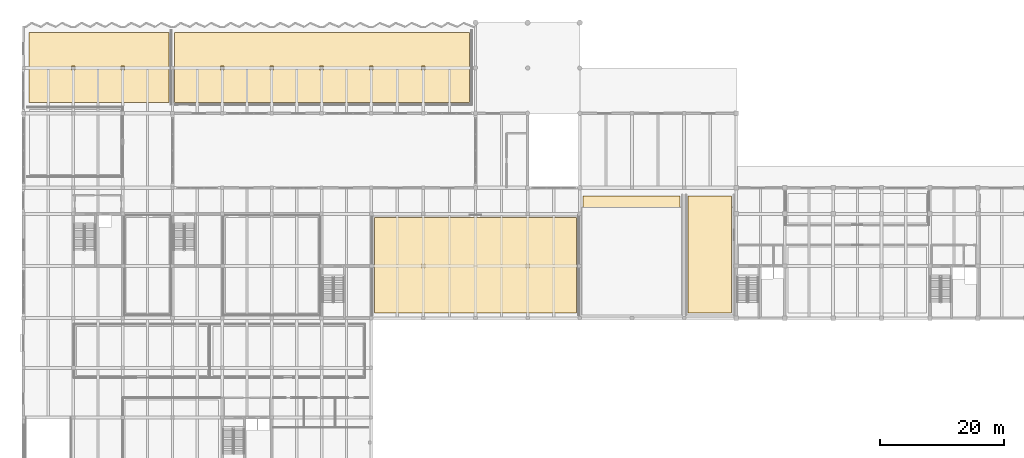
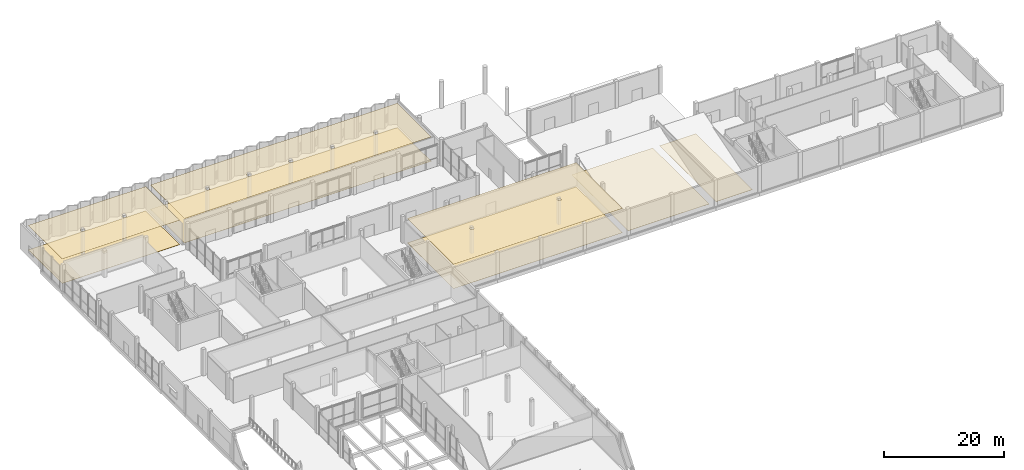
# One storey, part 39 of 41: 8 coverings.
"""IFC4 building model written with IfcOpenShell, lengths in metres."""

import ifcopenshell
import ifcopenshell.guid

model = None  # the IFC model being written
_history = None  # IfcOwnerHistory: only IFC2X3 demands one
_inside = {}  # id of a spatial element -> (the spatial element, [elements in it])
_under = {}  # id of a project, library or spatial element -> (it, [spatial elements below it])
_declared = {}  # id of a project -> (the project, [libraries it declares])
_typed = {}  # id of a type object -> (the type object, [elements of that type])
_made_of = {}  # id of a material, layer set ... -> (it, [elements and type objects made of it])


def new_model(schema):
    """Start an empty IFC model of exactly this schema.

    Asked for "IFC4X3", IfcOpenShell would pick the latest addendum, in which some entities
    have other attributes; the version numbers below select the first issue.
    IFC2X3 requires an IfcOwnerHistory on every rooted entity: one is made here for all.
    """
    global model, _history
    if schema == "IFC4X3":
        model = ifcopenshell.file(schema_version=(4, 3, 0, 0))
    else:
        model = ifcopenshell.file(schema=schema)
    _inside.clear()
    _under.clear()
    _declared.clear()
    _typed.clear()
    _made_of.clear()
    _history = None
    if model.schema == "IFC2X3":
        org = make("IfcOrganization", Name="unknown")
        user = make(
            "IfcPersonAndOrganization",
            ThePerson=make("IfcPerson", FamilyName="unknown"),
            TheOrganization=org,
        )
        app = make(
            "IfcApplication",
            ApplicationDeveloper=org,
            Version="unknown",
            ApplicationFullName="unknown",
            ApplicationIdentifier="unknown",
        )
        _history = make(
            "IfcOwnerHistory",
            OwningUser=user,
            OwningApplication=app,
            ChangeAction="ADDED",
            CreationDate=0,
        )
    return model


def make(cls, **values):
    """One entity of the class cls with the attributes given. An attribute that is None is left unset."""
    return model.create_entity(
        cls, **{name: value for name, value in values.items() if value is not None}
    )


def rooted(cls, **values):
    """An entity with a GlobalId (a new one), such as an element, a storey or a relation."""
    return make(cls, GlobalId=ifcopenshell.guid.new(), OwnerHistory=_history, **values)


def si_unit(unit_type, name, prefix=None):
    """IfcSIUnit, for example si_unit("LENGTHUNIT", "METRE", prefix="MILLI")."""
    return make("IfcSIUnit", UnitType=unit_type, Prefix=prefix, Name=name)


def assignment(units):
    """IfcUnitAssignment: the units of a project."""
    return None if units is None else make("IfcUnitAssignment", Units=units)


def point(xyz):
    """IfcCartesianPoint."""
    return None if xyz is None else make("IfcCartesianPoint", Coordinates=xyz)


def direction(xyz):
    """IfcDirection."""
    return None if xyz is None else make("IfcDirection", DirectionRatios=xyz)


def frame(location, z_axis=None, x_axis=None):
    """IfcAxis2Placement3D, a coordinate frame: its origin and axes. An axis left out is left unset."""
    return make(
        "IfcAxis2Placement3D",
        Location=point(location),
        Axis=direction(z_axis),
        RefDirection=direction(x_axis),
    )


def origin():
    """The frame at (0, 0, 0) with its axes left unset."""
    return frame((0.0, 0.0, 0.0))


def place(relative_to, where):
    """IfcLocalPlacement: puts the frame where relative to a parent placement (None: the world)."""
    return make(
        "IfcLocalPlacement", PlacementRelTo=relative_to, RelativePlacement=where
    )


def context(
    kind, dimensions, precision=None, world=None, true_north=None, identifier=None
):
    """IfcGeometricRepresentationContext, for example the 3D "Model" context."""
    return make(
        "IfcGeometricRepresentationContext",
        ContextIdentifier=identifier,
        ContextType=kind,
        CoordinateSpaceDimension=dimensions,
        Precision=precision,
        WorldCoordinateSystem=world,
        TrueNorth=true_north,
    )


def subcontext(parent, identifier, kind, view, scale=None):
    """IfcGeometricRepresentationSubContext, for example "Body" below "Model"."""
    return make(
        "IfcGeometricRepresentationSubContext",
        ContextIdentifier=identifier,
        ContextType=kind,
        ParentContext=parent,
        TargetScale=scale,
        TargetView=view,
    )


def project(units=None, contexts=None):
    """IfcProject with its units and contexts."""
    return rooted(
        "IfcProject",
        Name="project",
        RepresentationContexts=contexts,
        UnitsInContext=assignment(units),
    )


def spatial(cls, under=None, at=None, **own):
    """A site, building, storey or space (cls), placed at a placement, below another one or the project."""
    s = rooted(cls, ObjectPlacement=at, **own)
    if under is not None:
        _under.setdefault(under.id(), (under, []))[1].append(s)
    return s


def polyline(points):
    """IfcPolyline through the points."""
    return make("IfcPolyline", Points=[point(p) for p in points])


def outline(outer, holes=None, kind="AREA"):
    """IfcArbitraryClosedProfileDef: a profile drawn as a closed curve; with holes, ...WithVoids."""
    if holes is None:
        return make("IfcArbitraryClosedProfileDef", ProfileType=kind, OuterCurve=outer)
    return make(
        "IfcArbitraryProfileDefWithVoids",
        ProfileType=kind,
        OuterCurve=outer,
        InnerCurves=holes,
    )


def extrude(swept, where, along, depth):
    """IfcExtrudedAreaSolid: the profile swept, set in the frame where, extruded along a direction by depth."""
    return make(
        "IfcExtrudedAreaSolid",
        SweptArea=swept,
        Position=where,
        ExtrudedDirection=direction(along),
        Depth=depth,
    )


def shape(context_of_items, identifier, shape_type, items):
    """IfcShapeRepresentation: the items that make up one representation, for example the "Body"."""
    return make(
        "IfcShapeRepresentation",
        ContextOfItems=context_of_items,
        RepresentationIdentifier=identifier,
        RepresentationType=shape_type,
        Items=items,
    )


def material(Name=None, Category=None):
    """IfcMaterial."""
    return make("IfcMaterial", Name=Name, Category=Category)


def layer(
    of_material, thickness, ventilated=None, Name=None, Category=None, Priority=None
):
    """IfcMaterialLayer: one layer of a wall or slab, of a material (None: an air gap)."""
    return make(
        "IfcMaterialLayer",
        Material=of_material,
        LayerThickness=thickness,
        IsVentilated=ventilated,
        Name=Name,
        Category=Category,
        Priority=Priority,
    )


def layer_set(layers, Name=None):
    """IfcMaterialLayerSet."""
    return make("IfcMaterialLayerSet", MaterialLayers=layers, LayerSetName=Name)


def made_of(thing, what):
    """Note that an element or type object is made of a material, layer set ...; save() writes the relation."""
    if what is not None:
        _made_of.setdefault(what.id(), (what, []))[1].append(thing)
    return thing


def type_object(cls, material=None, **own):
    """A type object (cls), such as IfcWallType, which elements share."""
    return made_of(rooted(cls, **own), material)


def element(
    cls,
    number,
    at=None,
    inside=None,
    cuts=None,
    type_object=None,
    material=None,
    context=None,
    identifier="Body",
    shape_type=None,
    held_by="IfcProductDefinitionShape",
    body=None,
    shapes=None,
    **own,
):
    """One element of the class cls, such as IfcWall. Its Tag is "e" and its number.

    at: its placement. inside: the storey or other place that contains it. cuts: it is an
    opening in that element (IfcRelVoidsElement). A single representation is given by context,
    identifier, shape_type and body (its items); several are given by shapes. held_by: the class
    of the entity that holds the representations. save() writes the other relations.
    """
    e = rooted(cls, Tag="e%d" % number, ObjectPlacement=at, **own)
    if body is not None:
        shapes = [shape(context, identifier, shape_type, body)]
    if shapes is not None:
        e.Representation = make(held_by, Representations=shapes)
    if inside is not None:
        _inside.setdefault(inside.id(), (inside, []))[1].append(e)
    if cuts is not None:
        rooted(
            "IfcRelVoidsElement", RelatingBuildingElement=cuts, RelatedOpeningElement=e
        )
    if type_object is not None:
        _typed.setdefault(type_object.id(), (type_object, []))[1].append(e)
    return made_of(e, material)


def aggregate(whole, parts):
    """IfcRelAggregates: a whole, such as a stair, and the parts it consists of."""
    return rooted("IfcRelAggregates", RelatingObject=whole, RelatedObjects=parts)


def save(model, path):
    """Write the relations noted so far, then the file.

    IfcRelAggregates (storeys below a building ...), IfcRelContainedInSpatialStructure (elements
    in a storey), IfcRelDefinesByType, IfcRelAssociatesMaterial and IfcRelDeclares: one each for
    every whole, place, type object, material and project.
    """
    for whole, parts in _under.values():
        aggregate(whole, parts)
    for where, things in _inside.values():
        rooted(
            "IfcRelContainedInSpatialStructure",
            RelatedElements=things,
            RelatingStructure=where,
        )
    for kind, things in _typed.values():
        rooted("IfcRelDefinesByType", RelatedObjects=things, RelatingType=kind)
    for what, things in _made_of.values():
        rooted("IfcRelAssociatesMaterial", RelatedObjects=things, RelatingMaterial=what)
    for by, libraries in _declared.values():
        rooted("IfcRelDeclares", RelatingContext=by, RelatedDefinitions=libraries)
    model.write(path)


model = new_model("IFC4")

# Units and contexts
model_context = context("Model", 3, precision=1e-05, world=origin(), true_north=direction((0.0, 1.0)))
body_context = subcontext(model_context, "Body", "Model", "MODEL_VIEW")
ifc_project = project(units=[si_unit("LENGTHUNIT", "METRE"), si_unit("AREAUNIT", "SQUARE_METRE"), si_unit("VOLUMEUNIT", "CUBIC_METRE"), si_unit("PLANEANGLEUNIT", "RADIAN"), si_unit("MASSUNIT", "GRAM", prefix="KILO")], contexts=[model_context])

# Site, building, storey
site_placement = place(None, origin())
site = spatial("IfcSite", under=ifc_project, at=site_placement, CompositionType="ELEMENT")
building_placement = place(site_placement, origin())
building = spatial("IfcBuilding", under=site, at=building_placement, Name="Vharandega Faculty of Natural Sciences", CompositionType="ELEMENT")
storey_placement = place(building_placement, origin())
storey = spatial("IfcBuildingStorey", under=building, at=storey_placement, Name="L00", CompositionType="ELEMENT", Elevation=0.0)

# Coverings
ifc_material_1 = material(Name="Perforated acoustic timber ceiling panels", Category="wood")
ifc_layer_1 = layer(ifc_material_1, 0.030029296875, Name="Perforated acoustic timber ceiling panels")
ifc_layer_set_1 = layer_set([ifc_layer_1], Name="Perforated acoustic timber ceiling panels")
covering_type_1 = type_object("IfcCoveringType", Name="Perforated Acoustic Timber Ceiling 30mm", PredefinedType="CEILING", material=ifc_layer_set_1)
covering_1_placement = place(storey_placement, frame((0.0, 0.0, 4.9599609375)))
element("IfcCovering", 1, at=covering_1_placement, inside=storey, type_object=covering_type_1, Name="L00-BKS1 Acoustic Ceiling", PredefinedType="CEILING", context=body_context, shape_type="SweptSolid", body=[
    extrude(outline(polyline([(0.85009765625, 98.75), (23.449951171875, 98.75), (23.449951171875, 110.050048828125), (0.85009765625, 110.050048828125), (0.85009765625, 98.75)]), holes=[polyline([(7.705078125, 104.0048828125), (8.294921875, 104.0048828125), (8.294921875, 104.594970703125), (7.705078125, 104.594970703125), (7.705078125, 104.0048828125)]), polyline([(15.705078125, 104.0048828125), (16.294921875, 104.0048828125), (16.294921875, 104.594970703125), (15.705078125, 104.594970703125), (15.705078125, 104.0048828125)])]), origin(), (0.0, 0.0, 1.0), 0.030029296875),
])
covering_2_placement = place(storey_placement, frame((0.0, 0.0, 4.9599609375)))
element("IfcCovering", 2, at=covering_2_placement, inside=storey, type_object=covering_type_1, Name="L00-LCM1 Acoustic Ceiling", PredefinedType="CEILING", context=body_context, shape_type="SweptSolid", body=[
    extrude(outline(polyline([(24.35009765625, 98.75), (71.85009765625, 98.75), (71.85009765625, 110.050048828125), (24.35009765625, 110.050048828125), (24.35009765625, 98.75)]), holes=[polyline([(31.705078125, 104.0048828125), (32.294921875, 104.0048828125), (32.294921875, 104.594970703125), (31.705078125, 104.594970703125), (31.705078125, 104.0048828125)]), polyline([(39.705078125, 104.0048828125), (40.294921875, 104.0048828125), (40.294921875, 104.594970703125), (39.705078125, 104.594970703125), (39.705078125, 104.0048828125)]), polyline([(47.705078125, 104.0048828125), (48.294921875, 104.0048828125), (48.294921875, 104.594970703125), (47.705078125, 104.594970703125), (47.705078125, 104.0048828125)]), polyline([(55.705078125, 104.0048828125), (56.294921875, 104.0048828125), (56.294921875, 104.594970703125), (55.705078125, 104.594970703125), (55.705078125, 104.0048828125)]), polyline([(64.10498046875, 104.0048828125), (64.695068359375, 104.0048828125), (64.695068359375, 104.594970703125), (64.10498046875, 104.594970703125), (64.10498046875, 104.0048828125)])]), origin(), (0.0, 0.0, 1.0), 0.030029296875),
])
covering_3_placement = place(storey_placement, frame((0.0, 0.0, 4.93994140625)))
element("IfcCovering", 3, at=covering_3_placement, inside=storey, type_object=covering_type_1, Name="L00-ATR1 Acoustic Ceiling", PredefinedType="CEILING", context=body_context, shape_type="SweptSolid", body=[
    extrude(outline(polyline([(56.550048828125, 64.85009765625), (89.050048828125, 64.85009765625), (89.050048828125, 80.25), (56.550048828125, 80.25), (56.550048828125, 64.85009765625)]), holes=[polyline([(80.905029296875, 72.10498046875), (81.4951171875, 72.10498046875), (81.4951171875, 72.695068359375), (80.905029296875, 72.695068359375), (80.905029296875, 72.10498046875)]), polyline([(64.10498046875, 72.10498046875), (64.695068359375, 72.10498046875), (64.695068359375, 72.695068359375), (64.10498046875, 72.695068359375), (64.10498046875, 72.10498046875)])]), origin(), (0.0, 0.0, 1.0), 0.030029296875),
])
ifc_material_2 = material(Name="Polished Harare granite terrazzo flooring", Category="masonry")
ifc_layer_2 = layer(ifc_material_2, 0.02490234375, Name="Polished Harare granite terrazzo flooring")
ifc_layer_set_2 = layer_set([ifc_layer_2], Name="Polished Harare granite terrazzo flooring")
covering_type_2 = type_object("IfcCoveringType", Name="Terrazzo Concourse Flooring 25mm", PredefinedType="FLOORING", material=ifc_layer_set_2)
covering_4_placement = place(storey_placement, origin())
element("IfcCovering", 4, at=covering_4_placement, inside=storey, type_object=covering_type_2, Name="L00-BKS1 Finish Flooring", PredefinedType="FLOORING", context=body_context, shape_type="SweptSolid", body=[
    extrude(outline(polyline([(0.85009765625, 98.75), (23.449951171875, 98.75), (23.449951171875, 110.050048828125), (0.85009765625, 110.050048828125), (0.85009765625, 98.75)])), origin(), (0.0, 0.0, 1.0), 0.02490234375),
])
covering_5_placement = place(storey_placement, origin())
element("IfcCovering", 5, at=covering_5_placement, inside=storey, type_object=covering_type_2, Name="L00-LCM1 Finish Flooring", PredefinedType="FLOORING", context=body_context, shape_type="SweptSolid", body=[
    extrude(outline(polyline([(24.35009765625, 98.75), (71.85009765625, 98.75), (71.85009765625, 110.050048828125), (24.35009765625, 110.050048828125), (24.35009765625, 98.75)])), origin(), (0.0, 0.0, 1.0), 0.02490234375),
])
covering_6_placement = place(storey_placement, origin())
element("IfcCovering", 6, at=covering_6_placement, inside=storey, type_object=covering_type_2, Name="L00-ATR1 Finish Flooring", PredefinedType="FLOORING", context=body_context, shape_type="SweptSolid", body=[
    extrude(outline(polyline([(56.550048828125, 64.85009765625), (89.050048828125, 64.85009765625), (89.050048828125, 80.25), (56.550048828125, 80.25), (56.550048828125, 64.85009765625)])), origin(), (0.0, 0.0, 1.0), 0.02490234375),
])
covering_7_placement = place(storey_placement, origin())
element("IfcCovering", 7, at=covering_7_placement, inside=storey, type_object=covering_type_2, Name="L00-LT01 Finish Flooring", PredefinedType="FLOORING", context=body_context, shape_type="SweptSolid", body=[
    extrude(outline(polyline([(90.14990234375, 64.85009765625), (105.75, 64.85009765625), (105.75, 83.64990234375), (90.14990234375, 83.64990234375), (90.14990234375, 64.85009765625)])), origin(), (0.0, 0.0, 1.0), 0.02490234375),
])
covering_8_placement = place(storey_placement, origin())
element("IfcCovering", 8, at=covering_8_placement, inside=storey, type_object=covering_type_2, Name="L00-LT02 Finish Flooring", PredefinedType="FLOORING", context=body_context, shape_type="SweptSolid", body=[
    extrude(outline(polyline([(107.050048828125, 64.85009765625), (114.050048828125, 64.85009765625), (114.050048828125, 83.64990234375), (107.050048828125, 83.64990234375), (107.050048828125, 64.85009765625)])), origin(), (0.0, 0.0, 1.0), 0.02490234375),
])

save(model, "model.ifc")
